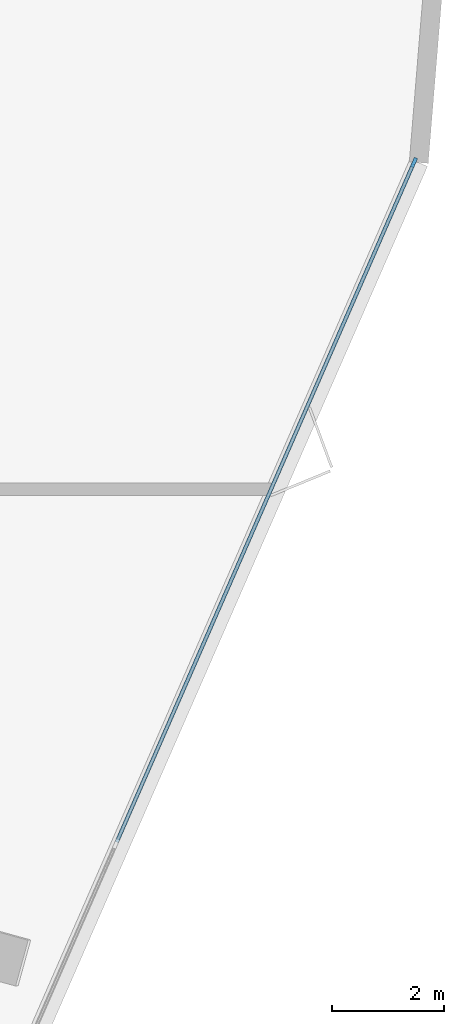
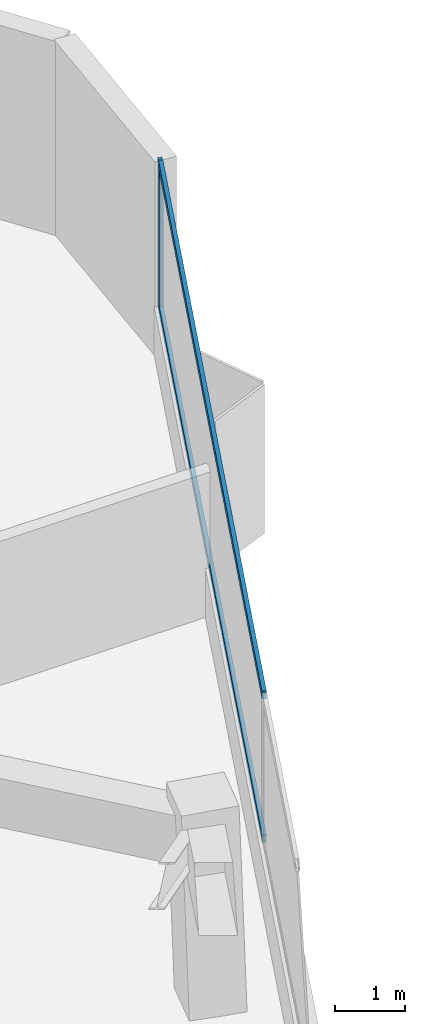
# One storey, part 10 of 19: 3 members, 1 element without a shape of its own.
"""IFC4 building model written with IfcOpenShell, lengths in metres."""

import ifcopenshell
import ifcopenshell.guid

model = None  # the IFC model being written
_history = None  # IfcOwnerHistory: only IFC2X3 demands one
_inside = {}  # id of a spatial element -> (the spatial element, [elements in it])
_under = {}  # id of a project, library or spatial element -> (it, [spatial elements below it])
_declared = {}  # id of a project -> (the project, [libraries it declares])
_typed = {}  # id of a type object -> (the type object, [elements of that type])
_made_of = {}  # id of a material, layer set ... -> (it, [elements and type objects made of it])


def new_model(schema):
    """Start an empty IFC model of exactly this schema.

    Asked for "IFC4X3", IfcOpenShell would pick the latest addendum, in which some entities
    have other attributes; the version numbers below select the first issue.
    IFC2X3 requires an IfcOwnerHistory on every rooted entity: one is made here for all.
    """
    global model, _history
    if schema == "IFC4X3":
        model = ifcopenshell.file(schema_version=(4, 3, 0, 0))
    else:
        model = ifcopenshell.file(schema=schema)
    _inside.clear()
    _under.clear()
    _declared.clear()
    _typed.clear()
    _made_of.clear()
    _history = None
    if model.schema == "IFC2X3":
        org = make("IfcOrganization", Name="unknown")
        user = make(
            "IfcPersonAndOrganization",
            ThePerson=make("IfcPerson", FamilyName="unknown"),
            TheOrganization=org,
        )
        app = make(
            "IfcApplication",
            ApplicationDeveloper=org,
            Version="unknown",
            ApplicationFullName="unknown",
            ApplicationIdentifier="unknown",
        )
        _history = make(
            "IfcOwnerHistory",
            OwningUser=user,
            OwningApplication=app,
            ChangeAction="ADDED",
            CreationDate=0,
        )
    return model


def make(cls, **values):
    """One entity of the class cls with the attributes given. An attribute that is None is left unset."""
    return model.create_entity(
        cls, **{name: value for name, value in values.items() if value is not None}
    )


def rooted(cls, **values):
    """An entity with a GlobalId (a new one), such as an element, a storey or a relation."""
    return make(cls, GlobalId=ifcopenshell.guid.new(), OwnerHistory=_history, **values)


def si_unit(unit_type, name, prefix=None):
    """IfcSIUnit, for example si_unit("LENGTHUNIT", "METRE", prefix="MILLI")."""
    return make("IfcSIUnit", UnitType=unit_type, Prefix=prefix, Name=name)


def assignment(units):
    """IfcUnitAssignment: the units of a project."""
    return None if units is None else make("IfcUnitAssignment", Units=units)


def point(xyz):
    """IfcCartesianPoint."""
    return None if xyz is None else make("IfcCartesianPoint", Coordinates=xyz)


def direction(xyz):
    """IfcDirection."""
    return None if xyz is None else make("IfcDirection", DirectionRatios=xyz)


def frame(location, z_axis=None, x_axis=None):
    """IfcAxis2Placement3D, a coordinate frame: its origin and axes. An axis left out is left unset."""
    return make(
        "IfcAxis2Placement3D",
        Location=point(location),
        Axis=direction(z_axis),
        RefDirection=direction(x_axis),
    )


def frame_2d(location, x_axis=None):
    """IfcAxis2Placement2D, a coordinate frame in the plane: its origin and x axis."""
    return make(
        "IfcAxis2Placement2D", Location=point(location), RefDirection=direction(x_axis)
    )


def origin():
    """The frame at (0, 0, 0) with its axes left unset."""
    return frame((0.0, 0.0, 0.0))


def origin_2d():
    """The frame at (0, 0) in the plane with its x axis left unset."""
    return frame_2d((0.0, 0.0))


def place(relative_to, where):
    """IfcLocalPlacement: puts the frame where relative to a parent placement (None: the world)."""
    return make(
        "IfcLocalPlacement", PlacementRelTo=relative_to, RelativePlacement=where
    )


def context(
    kind, dimensions, precision=None, world=None, true_north=None, identifier=None
):
    """IfcGeometricRepresentationContext, for example the 3D "Model" context."""
    return make(
        "IfcGeometricRepresentationContext",
        ContextIdentifier=identifier,
        ContextType=kind,
        CoordinateSpaceDimension=dimensions,
        Precision=precision,
        WorldCoordinateSystem=world,
        TrueNorth=true_north,
    )


def subcontext(parent, identifier, kind, view, scale=None):
    """IfcGeometricRepresentationSubContext, for example "Body" below "Model"."""
    return make(
        "IfcGeometricRepresentationSubContext",
        ContextIdentifier=identifier,
        ContextType=kind,
        ParentContext=parent,
        TargetScale=scale,
        TargetView=view,
    )


def project(units=None, contexts=None):
    """IfcProject with its units and contexts."""
    return rooted(
        "IfcProject",
        Name="project",
        RepresentationContexts=contexts,
        UnitsInContext=assignment(units),
    )


def spatial(cls, under=None, at=None, **own):
    """A site, building, storey or space (cls), placed at a placement, below another one or the project."""
    s = rooted(cls, ObjectPlacement=at, **own)
    if under is not None:
        _under.setdefault(under.id(), (under, []))[1].append(s)
    return s


def profile(cls, at=None, kind="AREA", **sizes):
    """A parametric profile (cls). Its sizes go by their IFC names, for example OverallWidth=200.0."""
    return make(cls, ProfileType=kind, Position=at, **sizes)


def rectangle(**sizes):
    """IfcRectangleProfileDef."""
    return profile("IfcRectangleProfileDef", **sizes)


def extrude(swept, where, along, depth):
    """IfcExtrudedAreaSolid: the profile swept, set in the frame where, extruded along a direction by depth."""
    return make(
        "IfcExtrudedAreaSolid",
        SweptArea=swept,
        Position=where,
        ExtrudedDirection=direction(along),
        Depth=depth,
    )


def shape(context_of_items, identifier, shape_type, items):
    """IfcShapeRepresentation: the items that make up one representation, for example the "Body"."""
    return make(
        "IfcShapeRepresentation",
        ContextOfItems=context_of_items,
        RepresentationIdentifier=identifier,
        RepresentationType=shape_type,
        Items=items,
    )


def material(Name=None, Category=None):
    """IfcMaterial."""
    return make("IfcMaterial", Name=Name, Category=Category)


def layer(
    of_material, thickness, ventilated=None, Name=None, Category=None, Priority=None
):
    """IfcMaterialLayer: one layer of a wall or slab, of a material (None: an air gap)."""
    return make(
        "IfcMaterialLayer",
        Material=of_material,
        LayerThickness=thickness,
        IsVentilated=ventilated,
        Name=Name,
        Category=Category,
        Priority=Priority,
    )


def layer_set(layers, Name=None):
    """IfcMaterialLayerSet."""
    return make("IfcMaterialLayerSet", MaterialLayers=layers, LayerSetName=Name)


def material_profile(
    of_material, cross_section, Name=None, Category=None, Priority=None
):
    """IfcMaterialProfile: a cross section and its material."""
    return make(
        "IfcMaterialProfile",
        Name=Name,
        Material=of_material,
        Profile=cross_section,
        Priority=Priority,
        Category=Category,
    )


def profile_set(profiles, Name=None, composite=None):
    """IfcMaterialProfileSet."""
    return make(
        "IfcMaterialProfileSet",
        Name=Name,
        MaterialProfiles=profiles,
        CompositeProfile=composite,
    )


def made_of(thing, what):
    """Note that an element or type object is made of a material, layer set ...; save() writes the relation."""
    if what is not None:
        _made_of.setdefault(what.id(), (what, []))[1].append(thing)
    return thing


def type_object(cls, material=None, **own):
    """A type object (cls), such as IfcWallType, which elements share."""
    return made_of(rooted(cls, **own), material)


def element(
    cls,
    number,
    at=None,
    inside=None,
    cuts=None,
    type_object=None,
    material=None,
    context=None,
    identifier="Body",
    shape_type=None,
    held_by="IfcProductDefinitionShape",
    body=None,
    shapes=None,
    **own,
):
    """One element of the class cls, such as IfcWall. Its Tag is "e" and its number.

    at: its placement. inside: the storey or other place that contains it. cuts: it is an
    opening in that element (IfcRelVoidsElement). A single representation is given by context,
    identifier, shape_type and body (its items); several are given by shapes. held_by: the class
    of the entity that holds the representations. save() writes the other relations.
    """
    e = rooted(cls, Tag="e%d" % number, ObjectPlacement=at, **own)
    if body is not None:
        shapes = [shape(context, identifier, shape_type, body)]
    if shapes is not None:
        e.Representation = make(held_by, Representations=shapes)
    if inside is not None:
        _inside.setdefault(inside.id(), (inside, []))[1].append(e)
    if cuts is not None:
        rooted(
            "IfcRelVoidsElement", RelatingBuildingElement=cuts, RelatedOpeningElement=e
        )
    if type_object is not None:
        _typed.setdefault(type_object.id(), (type_object, []))[1].append(e)
    return made_of(e, material)


def aggregate(whole, parts):
    """IfcRelAggregates: a whole, such as a stair, and the parts it consists of."""
    return rooted("IfcRelAggregates", RelatingObject=whole, RelatedObjects=parts)


def save(model, path):
    """Write the relations noted so far, then the file.

    IfcRelAggregates (storeys below a building ...), IfcRelContainedInSpatialStructure (elements
    in a storey), IfcRelDefinesByType, IfcRelAssociatesMaterial and IfcRelDeclares: one each for
    every whole, place, type object, material and project.
    """
    for whole, parts in _under.values():
        aggregate(whole, parts)
    for where, things in _inside.values():
        rooted(
            "IfcRelContainedInSpatialStructure",
            RelatedElements=things,
            RelatingStructure=where,
        )
    for kind, things in _typed.values():
        rooted("IfcRelDefinesByType", RelatedObjects=things, RelatingType=kind)
    for what, things in _made_of.values():
        rooted("IfcRelAssociatesMaterial", RelatedObjects=things, RelatingMaterial=what)
    for by, libraries in _declared.values():
        rooted("IfcRelDeclares", RelatingContext=by, RelatedDefinitions=libraries)
    model.write(path)


model = new_model("IFC4")

# Units and contexts
model_context = context("Model", 3, precision=1e-05, world=origin(), true_north=direction((0.0, 1.0)))
body_context = subcontext(model_context, "Body", "Model", "MODEL_VIEW")
ifc_project = project(units=[si_unit("LENGTHUNIT", "METRE"), si_unit("AREAUNIT", "SQUARE_METRE"), si_unit("VOLUMEUNIT", "CUBIC_METRE"), si_unit("PLANEANGLEUNIT", "RADIAN"), si_unit("MASSUNIT", "GRAM", prefix="KILO")], contexts=[model_context])

# Site, building, storey
site_placement = place(None, origin())
site = spatial("IfcSite", under=ifc_project, at=site_placement, CompositionType="ELEMENT")
building_placement = place(site_placement, origin())
building = spatial("IfcBuilding", under=site, at=building_placement, Name="Talyreon Biosciences Tower", CompositionType="ELEMENT")
storey_placement = place(building_placement, frame((0.0, 0.0, 82.300048828125)))
storey = spatial("IfcBuildingStorey", under=building, at=storey_placement, Name="L21", CompositionType="ELEMENT", Elevation=82.300048828125)

# Curtain wall, members
ifc_material_1 = material(Name="Thermally broken aluminium and low-E glazing", Category="aluminium")
ifc_layer = layer(ifc_material_1, 0.18994140625)
ifc_layer_set = layer_set([ifc_layer], Name="Thermally broken aluminium and low-E glazing")
curtain_wall_type = type_object("IfcCurtainWallType", Name="CurtainWall_Zone2Genomics", PredefinedType="NOTDEFINED", material=ifc_layer_set)
curtain_wall_placement = place(storey_placement, origin())
curtain_wall = element("IfcCurtainWall", 1, at=curtain_wall_placement, inside=storey, type_object=curtain_wall_type, Name="L21 Unitised Curtain Wall FCW-L21-08", PredefinedType="NOTDEFINED")
ifc_material_2 = material(Name="Anodised thermally broken aluminium", Category="aluminium")
ifc_material_profile_1 = material_profile(ifc_material_2, rectangle(XDim=0.06494140625, YDim=0.179931640625, at=origin_2d()), Name="ALUM MULLION 65x180")
ifc_profile_set_1 = profile_set([ifc_material_profile_1], Name="Anodised thermally broken aluminium")
member_type_1 = type_object("IfcMemberType", Name="CWMullion_65x180", PredefinedType="MULLION", material=ifc_profile_set_1)
member_1_placement = place(storey_placement, frame((97.462646484375, 83.43896484375, 0.81005859375), z_axis=(0.0, 0.0, 1.0), x_axis=(0.916213942072, -0.400689421314, 0.0)))
member_1 = element("IfcMember", 2, at=member_1_placement, type_object=member_type_1, Name="CW3 mullion 1", PredefinedType="MULLION", context=body_context, shape_type="SweptSolid", body=[
    extrude(rectangle(XDim=0.06494140625, YDim=0.179931640625, at=origin_2d()), origin(), (0.0, 0.0, 1.0), 2.56494140625),
])
ifc_material_profile_2 = material_profile(ifc_material_2, rectangle(XDim=0.06494140625, YDim=0.139892578125, at=origin_2d()), Name="ALUM TRANSOM 65x140")
ifc_profile_set_2 = profile_set([ifc_material_profile_2], Name="Anodised thermally broken aluminium")
member_type_2 = type_object("IfcMemberType", Name="CWTransom_65x140", PredefinedType="USERDEFINED", material=ifc_profile_set_2)
member_2_placement = place(storey_placement, frame((97.449462890625, 83.4091796875, 0.842529296875), z_axis=(-0.40069337817, -0.916212211603, 0.0), x_axis=(0.916212211603, -0.40069337817, 0.0)))
member_2 = element("IfcMember", 3, at=member_2_placement, type_object=member_type_2, Name="CW3 transom 1.1", ObjectType="TRANSOM", PredefinedType="USERDEFINED", context=body_context, shape_type="SweptSolid", body=[
    extrude(rectangle(XDim=0.06494140625, YDim=0.139892578125, at=origin_2d()), origin(), (0.0, 0.0, 1.0), 13.271728515625),
])
member_3_placement = place(storey_placement, frame((97.449462890625, 83.4091796875, 3.342529296875), z_axis=(-0.40069337817, -0.916212211603, 0.0), x_axis=(0.916212211603, -0.40069337817, 0.0)))
member_3 = element("IfcMember", 4, at=member_3_placement, type_object=member_type_2, Name="CW3 transom 1.2", ObjectType="TRANSOM", PredefinedType="USERDEFINED", context=body_context, shape_type="SweptSolid", body=[
    extrude(rectangle(XDim=0.06494140625, YDim=0.139892578125, at=origin_2d()), origin(), (0.0, 0.0, 1.0), 13.271728515625),
])
aggregate(curtain_wall, [member_1, member_2, member_3])

save(model, "model.ifc")
